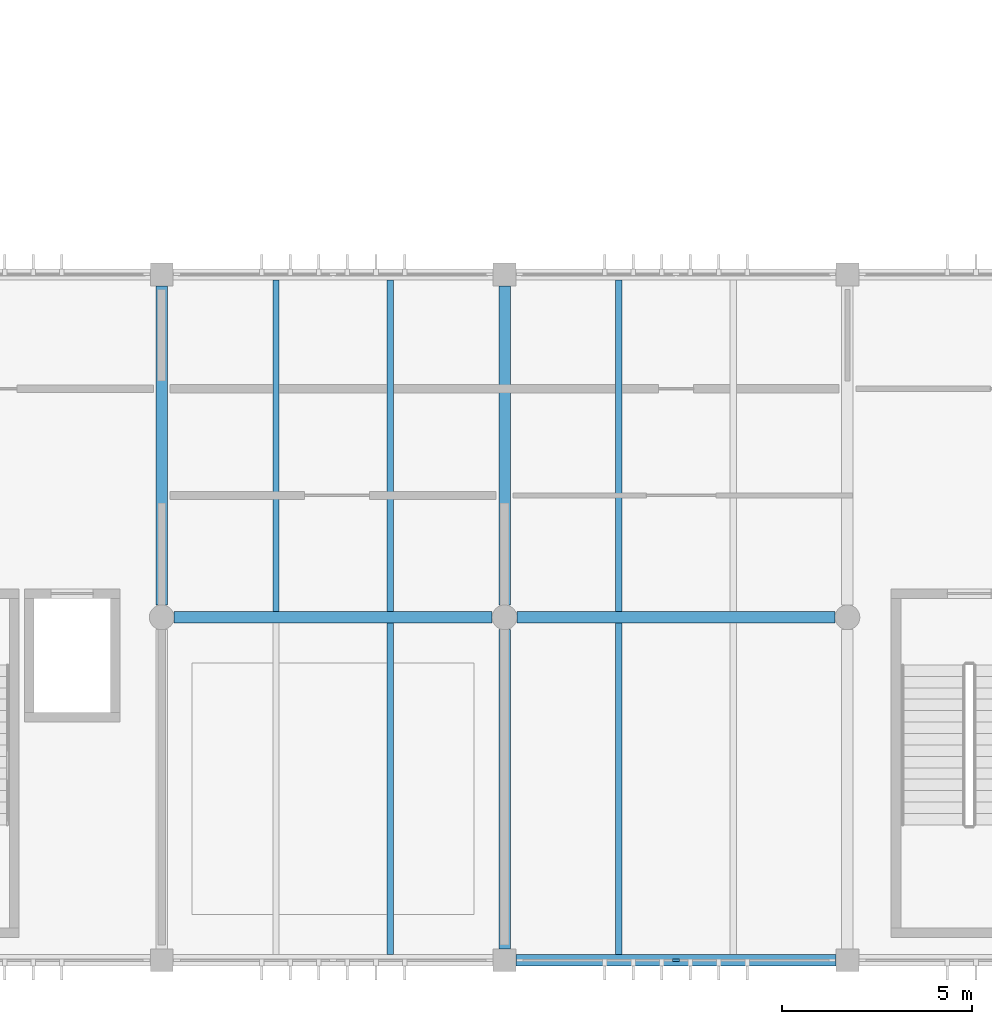
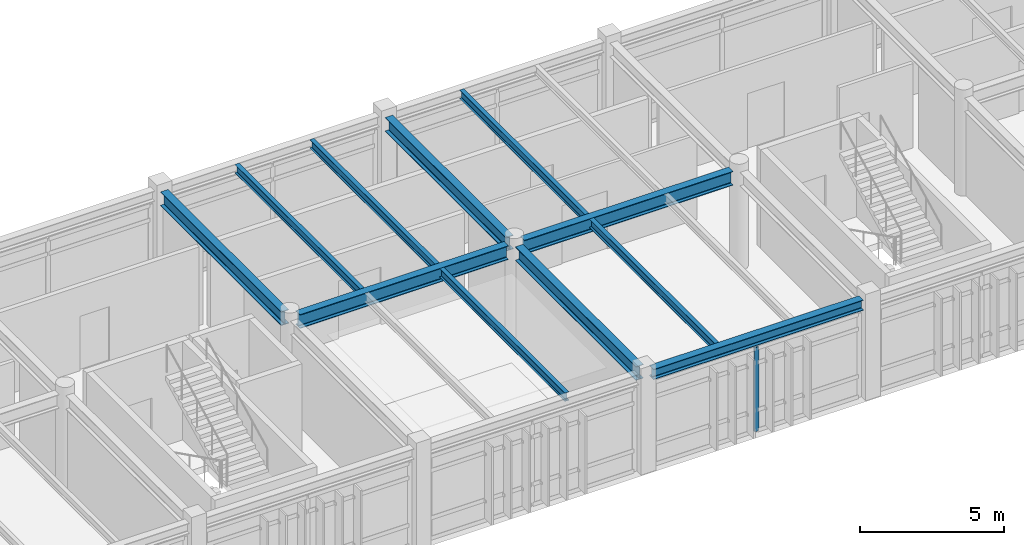
# One storey, part 8 of 55: 11 beams, 1 member, 1 element without a shape of its own.
"""IFC4 building model written with IfcOpenShell, lengths in metres."""

from ifc_helpers import new_model, si_unit, direction, frame, origin, origin_2d, place, context, subcontext, project, spatial, rectangle, i_section, extrude, material, material_profile, profile_set, type_object, element, aggregate, save


model = new_model("IFC4")

# Units and contexts
model_context = context("Model", 3, precision=1e-05, world=origin(), true_north=direction((0.0, 1.0)))
body_context = subcontext(model_context, "Body", "Model", "MODEL_VIEW")
ifc_project = project(units=[si_unit("LENGTHUNIT", "METRE"), si_unit("AREAUNIT", "SQUARE_METRE"), si_unit("VOLUMEUNIT", "CUBIC_METRE"), si_unit("PLANEANGLEUNIT", "RADIAN"), si_unit("MASSUNIT", "GRAM", prefix="KILO")], contexts=[model_context])

# Site, building, storey
site_placement = place(None, origin())
site = spatial("IfcSite", under=ifc_project, at=site_placement, CompositionType="ELEMENT")
building_placement = place(site_placement, origin())
building = spatial("IfcBuilding", under=site, at=building_placement, Name="Bozkorgan Art Gallery", CompositionType="ELEMENT")
storey_placement = place(building_placement, frame((0.0, 0.0, 15.0)))
storey = spatial("IfcBuildingStorey", under=building, at=storey_placement, Name="L03", CompositionType="ELEMENT", Elevation=15.0)

# Beams
ifc_material_1 = material(Name="Steel S355J2", Category="steel")
ifc_material_profile_1 = material_profile(ifc_material_1, i_section(OverallWidth=0.300048828125, OverallDepth=0.590087890625, WebThickness=0.012939453125, FlangeThickness=0.02490234375, FilletRadius=0.027099609375, at=origin_2d()), Name="HEA 600")
ifc_profile_set_1 = profile_set([ifc_material_profile_1], Name="Steel S355J2")
beam_type_1 = type_object("IfcBeamType", Name="BEAM-BM-49", PredefinedType="BEAM", material=ifc_profile_set_1)
for number, where, z_axis, x_axis, name in (
    (1, (20.324951171875, 11.0, 3.885009765625), (1.0, 0.0, 0.0), (0.0, 1.0, 0.0), "V1 L03 beam X (20-29, 11.0)"),
    (2, (29.324951171875, 11.0, 3.885009765625), (1.0, 0.0, 0.0), (0.0, 1.0, 0.0), "V1 L03 beam X (29-38, 11.0)"),
):
    element("IfcBeam", number, at=place(storey_placement, frame(where, z_axis=z_axis, x_axis=x_axis)), inside=storey, type_object=beam_type_1, Name=name, PredefinedType="BEAM", context=body_context, shape_type="SweptSolid", body=[
        extrude(i_section(OverallWidth=0.300048828125, OverallDepth=0.590087890625, WebThickness=0.012939453125, FlangeThickness=0.02490234375, FilletRadius=0.027099609375, at=origin_2d()), origin(), (0.0, 0.0, 1.0), 8.35009765625),
    ])
for number, where, z_axis, x_axis, name in (
    (3, (20.0, 11.324951171875, 3.885009765625), (0.0, 1.0, 0.0), (-1.0, 0.0, 0.0), "V1 L03 beam Y (20, 11.0-20.0)"),
    (4, (29.0, 2.300048828125, 3.885009765625), (0.0, 1.0, 0.0), (-1.0, 0.0, 0.0), "V1 L03 beam Y (29, 2.0-11.0)"),
    (5, (29.0, 11.324951171875, 3.885009765625), (0.0, 1.0, 0.0), (-1.0, 0.0, 0.0), "V1 L03 beam Y (29, 11.0-20.0)"),
):
    element("IfcBeam", number, at=place(storey_placement, frame(where, z_axis=z_axis, x_axis=x_axis)), inside=storey, type_object=beam_type_1, Name=name, PredefinedType="BEAM", context=body_context, shape_type="SweptSolid", body=[
        extrude(i_section(OverallWidth=0.300048828125, OverallDepth=0.590087890625, WebThickness=0.012939453125, FlangeThickness=0.02490234375, FilletRadius=0.027099609375, at=origin_2d()), origin(), (0.0, 0.0, 1.0), 8.375),
    ])
ifc_material_profile_2 = material_profile(ifc_material_1, i_section(OverallWidth=0.169921875, OverallDepth=0.360107421875, WebThickness=0.008056640625, FlangeThickness=0.0126953125, FilletRadius=0.01806640625, at=origin_2d()), Name="IPE 360")
ifc_profile_set_2 = profile_set([ifc_material_profile_2], Name="Steel S355J2")
beam_type_2 = type_object("IfcBeamType", Name="BEAM-JS-98", PredefinedType="JOIST", material=ifc_profile_set_2)
for number, where, z_axis, x_axis, name in (
    (6, (26.0, 2.14990234375, 4.0), (0.0, 1.0, 0.0), (-1.0, 0.0, 0.0), "V1 L03 secondary joist (20-29, 2.0-11.0) #2"),
    (7, (23.0, 11.14990234375, 4.0), (0.0, 1.0, 0.0), (-1.0, 0.0, 0.0), "V1 L03 secondary joist (20-29, 11.0-20.0) #1"),
    (8, (26.0, 11.14990234375, 4.0), (0.0, 1.0, 0.0), (-1.0, 0.0, 0.0), "V1 L03 secondary joist (20-29, 11.0-20.0) #2"),
    (9, (32.0, 2.14990234375, 4.0), (0.0, 1.0, 0.0), (-1.0, 0.0, 0.0), "V1 L03 secondary joist (29-38, 2.0-11.0) #1"),
    (10, (32.0, 11.14990234375, 4.0), (0.0, 1.0, 0.0), (-1.0, 0.0, 0.0), "V1 L03 secondary joist (29-38, 11.0-20.0) #1"),
):
    element("IfcBeam", number, at=place(storey_placement, frame(where, z_axis=z_axis, x_axis=x_axis)), inside=storey, type_object=beam_type_2, Name=name, PredefinedType="JOIST", context=body_context, shape_type="SweptSolid", body=[
        extrude(i_section(OverallWidth=0.169921875, OverallDepth=0.360107421875, WebThickness=0.008056640625, FlangeThickness=0.0126953125, FilletRadius=0.01806640625, at=origin_2d()), origin(), (0.0, 0.0, 1.0), 8.7001953125),
    ])
ifc_material_profile_3 = material_profile(ifc_material_1, i_section(OverallWidth=0.300048828125, OverallDepth=0.43994140625, WebThickness=0.011474609375, FlangeThickness=0.02099609375, FilletRadius=0.027099609375, at=origin_2d()), Name="HEA 450")
ifc_profile_set_3 = profile_set([ifc_material_profile_3], Name="Steel S355J2")
beam_type_3 = type_object("IfcBeamType", Name="BEAM-SP-34", PredefinedType="SPANDREL", material=ifc_profile_set_3)
beam_placement = place(storey_placement, frame((29.300048828125, 2.0, 3.9599609375), z_axis=(1.0, 0.0, 0.0), x_axis=(0.0, 1.0, 0.0)))
element("IfcBeam", 11, at=beam_placement, inside=storey, type_object=beam_type_3, Name="V1 L03 spandrel X (29-38, 2.0)", PredefinedType="SPANDREL", context=body_context, shape_type="SweptSolid", body=[
    extrude(i_section(OverallWidth=0.300048828125, OverallDepth=0.43994140625, WebThickness=0.011474609375, FlangeThickness=0.02099609375, FilletRadius=0.027099609375, at=origin_2d()), origin(), (0.0, 0.0, 1.0), 8.39990234375),
])

# Curtain wall, member
ifc_material_2 = material(Name="Anodised Bronze Aluminium", Category="aluminium")
curtain_wall_type = type_object("IfcCurtainWallType", Name="CW-CW-42", PredefinedType="NOTDEFINED", material=ifc_material_2)
curtain_wall_placement = place(storey_placement, origin())
curtain_wall = element("IfcCurtainWall", 12, at=curtain_wall_placement, inside=storey, type_object=curtain_wall_type, Name="L03 unitised curtain wall CW-V1-L03-1S-07", PredefinedType="NOTDEFINED")
ifc_material_profile_4 = material_profile(ifc_material_2, rectangle(XDim=0.06494140625, YDim=0.179931640625, at=origin_2d()), Name="ALU MULLION 65x180")
ifc_profile_set_4 = profile_set([ifc_material_profile_4], Name="Anodised Bronze Aluminium")
member_type = type_object("IfcMemberType", Name="CWM-01", PredefinedType="MULLION", material=ifc_profile_set_4)
member_placement = place(storey_placement, frame((33.5, 2.0, 0.02001953125), z_axis=(0.0, 0.0, 1.0), x_axis=(0.0, 1.0, 0.0)))
member = element("IfcMember", 13, at=member_placement, type_object=member_type, Name="CW-42 mullion 2", PredefinedType="MULLION", context=body_context, shape_type="SweptSolid", body=[
    extrude(rectangle(XDim=0.06494140625, YDim=0.179931640625, at=origin_2d()), origin(), (0.0, 0.0, 1.0), 3.554931640625),
])
aggregate(curtain_wall, [member])

save(model, "model.ifc")
